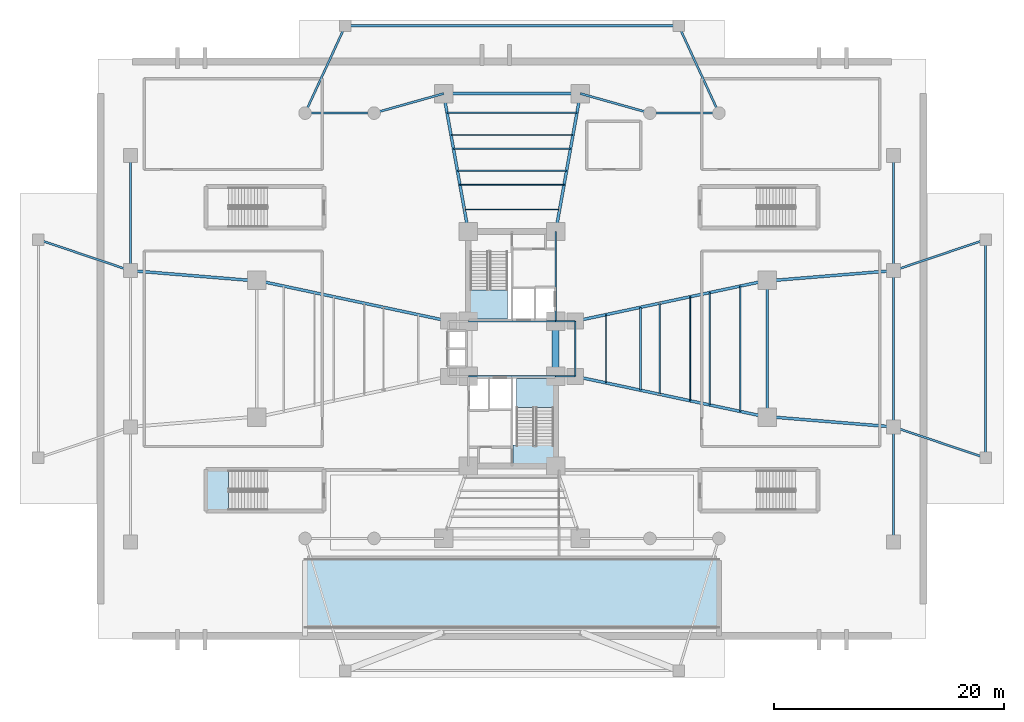
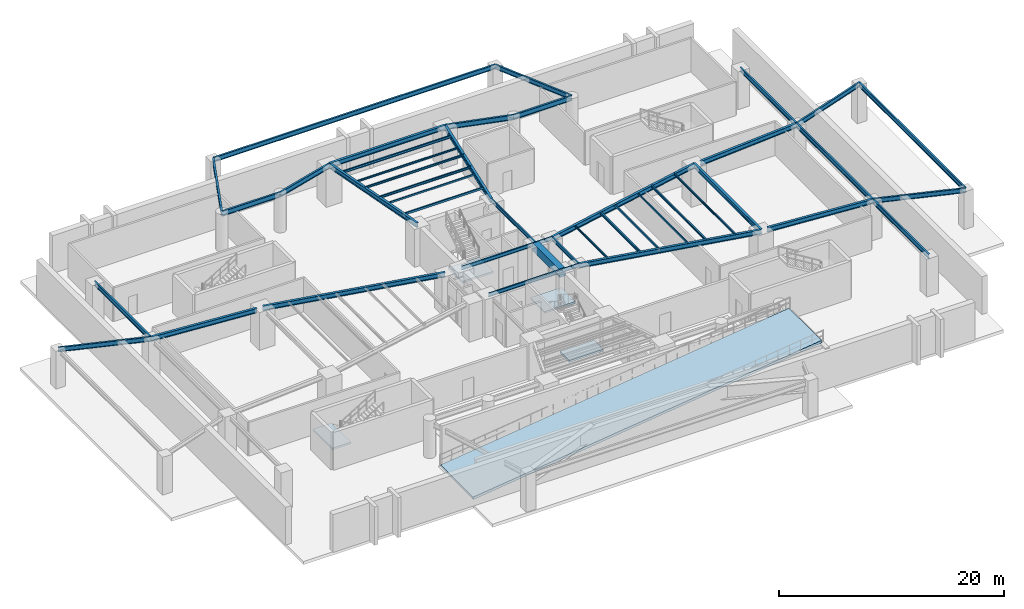
# One storey, part 4 of 14: 44 beams, 5 slabs, 3 elements without a shape of their own.
"""IFC4 building model written with IfcOpenShell, lengths in metres."""

from ifc_helpers import new_model, si_unit, direction, frame, origin, origin_2d, place, context, subcontext, project, spatial, polyline, rectangle, hollow_rectangle, i_section, outline, extrude, source, transform, mapped, material, layer, layer_set, material_profile, profile_set, type_object, element, aggregate, save


model = new_model("IFC4")

# Units and contexts
model_context = context("Model", 3, precision=1e-05, world=origin(), true_north=direction((0.0, 1.0)))
body_context = subcontext(model_context, "Body", "Model", "MODEL_VIEW")
ifc_project = project(units=[si_unit("LENGTHUNIT", "METRE"), si_unit("AREAUNIT", "SQUARE_METRE"), si_unit("VOLUMEUNIT", "CUBIC_METRE"), si_unit("PLANEANGLEUNIT", "RADIAN"), si_unit("MASSUNIT", "GRAM", prefix="KILO")], contexts=[model_context])

# Site, building, storey
site_placement = place(None, origin())
site = spatial("IfcSite", under=ifc_project, at=site_placement, CompositionType="ELEMENT")
building_placement = place(site_placement, origin())
building = spatial("IfcBuilding", under=site, at=building_placement, Name="Sahyath Konkavel Grand Hotel", CompositionType="ELEMENT")
storey_placement = place(building_placement, frame((0.0, 0.0, -4.5)))
storey = spatial("IfcBuildingStorey", under=building, at=storey_placement, Name="B1", CompositionType="ELEMENT", Elevation=-4.5)

# Beams
ifc_material_1 = material(Name="Steel E350", Category="steel")
ifc_material_profile_1 = material_profile(ifc_material_1, i_section(OverallWidth=0.179931640625, OverallDepth=0.5, WebThickness=0.01025390625, FlangeThickness=0.01708984375, FilletRadius=0.01708984375, at=origin_2d()), Name="ISMB 500")
ifc_profile_set_1 = profile_set([ifc_material_profile_1], Name="Steel E350")
beam_type_1 = type_object("IfcBeamType", Name="BM-ISMB500", PredefinedType="BEAM", material=ifc_profile_set_1)
shared_shape_1 = source(origin(), body_context, "Body", "SweptSolid", [
    extrude(i_section(OverallWidth=0.179931640625, OverallDepth=0.5, WebThickness=0.01025390625, FlangeThickness=0.01708984375, FilletRadius=0.01708984375, at=origin_2d()), origin(), (0.0, 0.0, 1.0), 19.0),
])
beam_1_placement = place(storey_placement, frame((41.199951171875, -9.5, 3.85009765625), z_axis=(0.0, 1.0, 0.0), x_axis=(-1.0, 0.0, 0.0)))
element("IfcBeam", 1, at=beam_1_placement, inside=storey, type_object=beam_type_1, Name="B1 Metro Portal Wing Girder 01", PredefinedType="BEAM", context=body_context, shape_type="MappedRepresentation", body=[
    mapped(shared_shape_1, transform((0.0, 0.0, 0.0), scale=1.0)),
])
shared_shape_2 = source(origin(), body_context, "Body", "SweptSolid", [
    extrude(i_section(OverallWidth=0.179931640625, OverallDepth=0.5, WebThickness=0.01025390625, FlangeThickness=0.01708984375, FilletRadius=0.01708984375, at=origin_2d()), origin(), (0.0, 0.0, 1.0), 8.443359375),
])
for number, where, z_axis, x_axis, name in (
    (2, (41.199951171875, -9.5, 3.85009765625), (-0.947494031165, 0.319773452474, 0.0), (-0.319773452474, -0.947494031165, 0.0), "B1 Metro Portal Wing Girder 02"),
    (3, (41.199951171875, 9.5, 3.85009765625), (-0.947494031165, -0.319773452474, 0.0), (0.319773452474, -0.947494031165, 0.0), "B1 Metro Portal Wing Girder 03"),
    (4, (-41.199951171875, 9.5, 3.85009765625), (0.947494031165, -0.319773452474, 0.0), (0.319773452474, 0.947494031165, 0.0), "B1 Metro Portal Wing Girder 06"),
):
    element("IfcBeam", number, at=place(storey_placement, frame(where, z_axis=z_axis, x_axis=x_axis)), inside=storey, type_object=beam_type_1, Name=name, PredefinedType="BEAM", context=body_context, shape_type="MappedRepresentation", body=[
        mapped(shared_shape_2, transform((0.0, 0.0, 0.0), scale=1.0)),
    ])
shared_shape_3 = source(origin(), body_context, "Body", "SweptSolid", [
    extrude(i_section(OverallWidth=0.179931640625, OverallDepth=0.5, WebThickness=0.01025390625, FlangeThickness=0.01708984375, FilletRadius=0.01708984375, at=origin_2d()), origin(), (0.0, 0.0, 1.0), 29.0),
])
beam_2_placement = place(storey_placement, frame((-14.5, 28.10009765625, 3.85009765625), z_axis=(1.0, 0.0, 0.0), x_axis=(0.0, 1.0, 0.0)))
element("IfcBeam", 5, at=beam_2_placement, inside=storey, type_object=beam_type_1, Name="B1 Metro Portal Wing Girder 07", PredefinedType="BEAM", context=body_context, shape_type="MappedRepresentation", body=[
    mapped(shared_shape_3, transform((0.0, 0.0, 0.0), scale=1.0)),
])
shared_shape_4 = source(origin(), body_context, "Body", "SweptSolid", [
    extrude(i_section(OverallWidth=0.179931640625, OverallDepth=0.5, WebThickness=0.01025390625, FlangeThickness=0.01708984375, FilletRadius=0.01708984375, at=origin_2d()), origin(), (0.0, 0.0, 1.0), 8.3671875),
])
for number, where, z_axis, x_axis, name in (
    (6, (-14.5, 28.10009765625, 3.85009765625), (-0.418295701327, -0.908310908363, 0.0), (0.908310908363, -0.418295701327, 0.0), "B1 Metro Portal Wing Girder 08"),
    (7, (14.5, 28.10009765625, 3.85009765625), (0.418295701327, -0.908310908363, 0.0), (0.908310908363, 0.418295701327, 0.0), "B1 Metro Portal Wing Girder 09"),
):
    element("IfcBeam", number, at=place(storey_placement, frame(where, z_axis=z_axis, x_axis=x_axis)), inside=storey, type_object=beam_type_1, Name=name, PredefinedType="BEAM", context=body_context, shape_type="MappedRepresentation", body=[
        mapped(shared_shape_4, transform((0.0, 0.0, 0.0), scale=1.0)),
    ])
ifc_material_2 = material(Name="Concrete C70/85", Category="concrete")
ifc_material_profile_2 = material_profile(ifc_material_2, rectangle(XDim=0.60009765625, YDim=0.89990234375, at=origin_2d()), Name="RC 600x900")
ifc_profile_set_2 = profile_set([ifc_material_profile_2], Name="Concrete C70/85")
beam_type_2 = type_object("IfcBeamType", Name="BM-CB600x900", PredefinedType="LINTEL", material=ifc_profile_set_2)
shared_shape_5 = source(origin(), body_context, "Body", "SweptSolid", [
    extrude(rectangle(XDim=0.60009765625, YDim=0.89990234375, at=origin_2d()), origin(), (0.0, 0.0, 1.0), 4.7998046875),
])
beam_3_placement = place(storey_placement, frame((3.800048828125, -2.39990234375, 3.64990234375), z_axis=(0.0, 1.0, 0.0), x_axis=(-1.0, 0.0, 0.0)))
element("IfcBeam", 8, at=beam_3_placement, inside=storey, type_object=beam_type_2, Name="B1 Split-Core Coupling Beam East", PredefinedType="LINTEL", context=body_context, shape_type="MappedRepresentation", body=[
    mapped(shared_shape_5, transform((0.0, 0.0, 0.0), scale=1.0)),
])
ifc_material_profile_3 = material_profile(ifc_material_1, i_section(OverallWidth=0.139892578125, OverallDepth=0.39990234375, WebThickness=0.0087890625, FlangeThickness=0.01611328125, FilletRadius=0.013916015625, at=origin_2d()), Name="ISMB 400")
ifc_profile_set_3 = profile_set([ifc_material_profile_3], Name="Steel E350")
beam_type_3 = type_object("IfcBeamType", Name="BM-ISMB400", PredefinedType="BEAM", material=ifc_profile_set_3)
shared_shape_6 = source(origin(), body_context, "Body", "SweptSolid", [
    extrude(i_section(OverallWidth=0.139892578125, OverallDepth=0.39990234375, WebThickness=0.0087890625, FlangeThickness=0.01611328125, FilletRadius=0.013916015625, at=origin_2d()), origin(), (0.0, 0.0, 1.0), 7.60009765625),
])
for number, where, z_axis, x_axis, name in (
    (9, (-3.800048828125, 2.39990234375, 3.89990234375), (1.0, 0.0, 0.0), (0.0, 1.0, 0.0), "str:bm:B1:NC-S"),
    (10, (-3.800048828125, -2.39990234375, 3.89990234375), (1.0, 0.0, 0.0), (0.0, 1.0, 0.0), "str:bm:B1:SC-N"),
):
    element("IfcBeam", number, at=place(storey_placement, frame(where, z_axis=z_axis, x_axis=x_axis)), inside=storey, type_object=beam_type_3, Name=name, PredefinedType="BEAM", context=body_context, shape_type="MappedRepresentation", body=[
        mapped(shared_shape_6, transform((0.0, 0.0, 0.0), scale=1.0)),
    ])
shared_shape_7 = source(origin(), body_context, "Body", "SweptSolid", [
    extrude(i_section(OverallWidth=0.139892578125, OverallDepth=0.39990234375, WebThickness=0.0087890625, FlangeThickness=0.01611328125, FilletRadius=0.013916015625, at=origin_2d()), origin(), (0.0, 0.0, 1.0), 7.800048828125),
])
beam_4_placement = place(storey_placement, frame((3.800048828125, 2.39990234375, 3.89990234375), z_axis=(0.0, 1.0, 0.0), x_axis=(-1.0, 0.0, 0.0)))
element("IfcBeam", 11, at=beam_4_placement, inside=storey, type_object=beam_type_3, Name="str:bm:B1:NC-E", PredefinedType="BEAM", context=body_context, shape_type="MappedRepresentation", body=[
    mapped(shared_shape_7, transform((0.0, 0.0, 0.0), scale=1.0)),
])
shared_shape_8 = source(origin(), body_context, "Body", "SweptSolid", [
    extrude(i_section(OverallWidth=0.139892578125, OverallDepth=0.39990234375, WebThickness=0.0087890625, FlangeThickness=0.01611328125, FilletRadius=0.013916015625, at=origin_2d()), origin(), (0.0, 0.0, 1.0), 1.699951171875),
])
for number, where, z_axis, x_axis, name in (
    (12, (3.800048828125, 2.39990234375, 3.89990234375), (1.0, 0.0, 0.0), (0.0, 1.0, 0.0), "str:bm:B1:HB-NE"),
    (13, (3.800048828125, -2.39990234375, 3.89990234375), (1.0, 0.0, 0.0), (0.0, 1.0, 0.0), "str:bm:B1:HB-SE"),
):
    element("IfcBeam", number, at=place(storey_placement, frame(where, z_axis=z_axis, x_axis=x_axis)), inside=storey, type_object=beam_type_3, Name=name, PredefinedType="BEAM", context=body_context, shape_type="MappedRepresentation", body=[
        mapped(shared_shape_8, transform((0.0, 0.0, 0.0), scale=1.0)),
    ])
shared_shape_9 = source(origin(), body_context, "Body", "SweptSolid", [
    extrude(i_section(OverallWidth=0.139892578125, OverallDepth=0.39990234375, WebThickness=0.0087890625, FlangeThickness=0.01611328125, FilletRadius=0.013916015625, at=origin_2d()), origin(), (0.0, 0.0, 1.0), 4.7998046875),
])
beam_5_placement = place(storey_placement, frame((5.5, -2.39990234375, 3.89990234375), z_axis=(0.0, 1.0, 0.0), x_axis=(-1.0, 0.0, 0.0)))
element("IfcBeam", 14, at=beam_5_placement, inside=storey, type_object=beam_type_3, Name="str:bm:B1:HB-E", PredefinedType="BEAM", context=body_context, shape_type="MappedRepresentation", body=[
    mapped(shared_shape_9, transform((0.0, 0.0, 0.0), scale=1.0)),
])
ifc_material_profile_4 = material_profile(ifc_material_1, i_section(OverallWidth=0.25, OverallDepth=0.5, WebThickness=0.010009765625, FlangeThickness=0.0146484375, FilletRadius=0.014892578125, at=origin_2d()), Name="ISWB 500")
ifc_profile_set_4 = profile_set([ifc_material_profile_4], Name="Steel E350")
beam_type_4 = type_object("IfcBeamType", Name="BM-ISWB500", PredefinedType="BEAM", material=ifc_profile_set_4)
shared_shape_10 = source(origin(), body_context, "Body", "SweptSolid", [
    extrude(i_section(OverallWidth=0.25, OverallDepth=0.5, WebThickness=0.010009765625, FlangeThickness=0.0146484375, FilletRadius=0.014892578125, at=origin_2d()), origin(), (0.0, 0.0, 1.0), 17.072998046875),
])
for number, where, z_axis, x_axis, name in (
    (15, (5.5, -2.39990234375, 3.85009765625), (0.978143257225, -0.20793212437, 0.0), (0.20793212437, 0.978143257225, 0.0), "B1 Podium Primary Girder EA"),
    (16, (5.5, 2.39990234375, 3.85009765625), (0.978143257225, 0.20793212437, 0.0), (-0.20793212437, 0.978143257225, 0.0), "B1 Podium Primary Girder EB"),
    (17, (-5.5, 2.39990234375, 3.85009765625), (-0.978143257225, 0.20793212437, 0.0), (-0.20793212437, -0.978143257225, 0.0), "B1 Podium Primary Girder WA"),
):
    element("IfcBeam", number, at=place(storey_placement, frame(where, z_axis=z_axis, x_axis=x_axis)), inside=storey, type_object=beam_type_4, Name=name, PredefinedType="BEAM", context=body_context, shape_type="MappedRepresentation", body=[
        mapped(shared_shape_10, transform((0.0, 0.0, 0.0), scale=1.0)),
    ])
shared_shape_11 = source(origin(), body_context, "Body", "SweptSolid", [
    extrude(i_section(OverallWidth=0.25, OverallDepth=0.5, WebThickness=0.010009765625, FlangeThickness=0.0146484375, FilletRadius=0.014892578125, at=origin_2d()), origin(), (0.0, 0.0, 1.0), 12.191162109375),
])
for number, where, z_axis, x_axis, name in (
    (18, (3.800048828125, 10.199951171875, 3.85009765625), (0.176350650305, 0.984327409014, 0.0), (-0.984327409014, 0.176350650305, 0.0), "B1 Podium Primary Girder NA"),
    (19, (-3.800048828125, 10.199951171875, 3.85009765625), (-0.176350650305, 0.984327409014, 0.0), (-0.984327409014, -0.176350650305, 0.0), "B1 Podium Primary Girder NB"),
):
    element("IfcBeam", number, at=place(storey_placement, frame(where, z_axis=z_axis, x_axis=x_axis)), inside=storey, type_object=beam_type_4, Name=name, PredefinedType="BEAM", context=body_context, shape_type="MappedRepresentation", body=[
        mapped(shared_shape_11, transform((0.0, 0.0, 0.0), scale=1.0)),
    ])
shared_shape_12 = source(origin(), body_context, "Body", "SweptSolid", [
    extrude(i_section(OverallWidth=0.25, OverallDepth=0.5, WebThickness=0.010009765625, FlangeThickness=0.0146484375, FilletRadius=0.014892578125, at=origin_2d()), origin(), (0.0, 0.0, 1.0), 11.89990234375),
])
for number, where, z_axis, x_axis, name in (
    (20, (22.199951171875, -5.949951171875, 3.85009765625), (0.0, 1.0, 0.0), (-1.0, 0.0, 0.0), "B1 Podium Primary Girder Tie E"),
    (21, (5.949951171875, 22.199951171875, 3.85009765625), (-1.0, 0.0, 0.0), (0.0, -1.0, 0.0), "B1 Podium Primary Girder Tie N"),
):
    element("IfcBeam", number, at=place(storey_placement, frame(where, z_axis=z_axis, x_axis=x_axis)), inside=storey, type_object=beam_type_4, Name=name, PredefinedType="BEAM", context=body_context, shape_type="MappedRepresentation", body=[
        mapped(shared_shape_12, transform((0.0, 0.0, 0.0), scale=1.0)),
    ])
ifc_material_profile_5 = material_profile(ifc_material_1, i_section(OverallWidth=0.18994140625, OverallDepth=0.550048828125, WebThickness=0.01123046875, FlangeThickness=0.019287109375, FilletRadius=0.01806640625, at=origin_2d()), Name="ISMB 550")
ifc_profile_set_5 = profile_set([ifc_material_profile_5], Name="Steel E350")
beam_type_5 = type_object("IfcBeamType", Name="BM-ISMB550", PredefinedType="BEAM", material=ifc_profile_set_5)
shared_shape_13 = source(origin(), body_context, "Body", "SweptSolid", [
    extrude(i_section(OverallWidth=0.18994140625, OverallDepth=0.550048828125, WebThickness=0.01123046875, FlangeThickness=0.019287109375, FilletRadius=0.01806640625, at=origin_2d()), origin(), (0.0, 0.0, 1.0), 6.0),
])
for number, where, z_axis, x_axis, name in (
    (22, (-18.0, 20.5, 3.824951171875), (1.0, 0.0, 0.0), (0.0, 1.0, 0.0), "str:bm:B1:POD-01"),
    (23, (12.0, 20.5, 3.824951171875), (1.0, 0.0, 0.0), (0.0, 1.0, 0.0), "str:bm:B1:POD-04"),
):
    element("IfcBeam", number, at=place(storey_placement, frame(where, z_axis=z_axis, x_axis=x_axis)), inside=storey, type_object=beam_type_5, Name=name, PredefinedType="BEAM", context=body_context, shape_type="MappedRepresentation", body=[
        mapped(shared_shape_13, transform((0.0, 0.0, 0.0), scale=1.0)),
    ])
shared_shape_14 = source(origin(), body_context, "Body", "SweptSolid", [
    extrude(i_section(OverallWidth=0.18994140625, OverallDepth=0.550048828125, WebThickness=0.01123046875, FlangeThickness=0.019287109375, FilletRadius=0.01806640625, at=origin_2d()), origin(), (0.0, 0.0, 1.0), 6.284423828125),
])
for number, where, z_axis, x_axis, name in (
    (24, (-12.0, 20.5, 3.824951171875), (0.962718307277, 0.270505934933, 0.0), (-0.270505934933, 0.962718307277, 0.0), "str:bm:B1:POD-02"),
    (25, (5.949951171875, 22.199951171875, 3.824951171875), (0.962718307277, -0.270505934933, 0.0), (0.270505934933, 0.962718307277, 0.0), "str:bm:B1:POD-03"),
):
    element("IfcBeam", number, at=place(storey_placement, frame(where, z_axis=z_axis, x_axis=x_axis)), inside=storey, type_object=beam_type_5, Name=name, PredefinedType="BEAM", context=body_context, shape_type="MappedRepresentation", body=[
        mapped(shared_shape_14, transform((0.0, 0.0, 0.0), scale=1.0)),
    ])
shared_shape_15 = source(origin(), body_context, "Body", "SweptSolid", [
    extrude(i_section(OverallWidth=0.179931640625, OverallDepth=0.5, WebThickness=0.01025390625, FlangeThickness=0.01708984375, FilletRadius=0.01708984375, at=origin_2d()), origin(), (0.0, 0.0, 1.0), 10.0),
])
for number, where, z_axis, x_axis, name in (
    (26, (33.199951171875, -16.800048828125, 3.85009765625), (0.0, 1.0, 0.0), (-1.0, 0.0, 0.0), "str:bm:B1:POD-09"),
    (27, (33.199951171875, 6.800048828125, 3.85009765625), (0.0, 1.0, 0.0), (-1.0, 0.0, 0.0), "str:bm:B1:POD-13"),
    (28, (-33.199951171875, 6.800048828125, 3.85009765625), (0.0, 1.0, 0.0), (-1.0, 0.0, 0.0), "str:bm:B1:POD-18"),
):
    element("IfcBeam", number, at=place(storey_placement, frame(where, z_axis=z_axis, x_axis=x_axis)), inside=storey, type_object=beam_type_1, Name=name, PredefinedType="BEAM", context=body_context, shape_type="MappedRepresentation", body=[
        mapped(shared_shape_15, transform((0.0, 0.0, 0.0), scale=1.0)),
    ])
shared_shape_16 = source(origin(), body_context, "Body", "SweptSolid", [
    extrude(i_section(OverallWidth=0.25, OverallDepth=0.5, WebThickness=0.010009765625, FlangeThickness=0.0146484375, FilletRadius=0.014892578125, at=origin_2d()), origin(), (0.0, 0.0, 1.0), 10.4345703125),
])
for number, where, z_axis, x_axis, name in (
    (29, (33.199951171875, -6.800048828125, 3.85009765625), (-0.996675859081, 0.081469208445, 0.0), (-0.081469208445, -0.996675859081, 0.0), "str:bm:B1:POD-10"),
    (30, (33.199951171875, 6.800048828125, 3.85009765625), (-0.996675859081, -0.081469208445, 0.0), (0.081469208445, -0.996675859081, 0.0), "str:bm:B1:POD-12"),
    (31, (-33.199951171875, 6.800048828125, 3.85009765625), (0.996675859081, -0.081469208445, 0.0), (0.081469208445, 0.996675859081, 0.0), "str:bm:B1:POD-17"),
):
    element("IfcBeam", number, at=place(storey_placement, frame(where, z_axis=z_axis, x_axis=x_axis)), inside=storey, type_object=beam_type_4, Name=name, PredefinedType="BEAM", context=body_context, shape_type="MappedRepresentation", body=[
        mapped(shared_shape_16, transform((0.0, 0.0, 0.0), scale=1.0)),
    ])
shared_shape_17 = source(origin(), body_context, "Body", "SweptSolid", [
    extrude(i_section(OverallWidth=0.179931640625, OverallDepth=0.5, WebThickness=0.01025390625, FlangeThickness=0.01708984375, FilletRadius=0.01708984375, at=origin_2d()), origin(), (0.0, 0.0, 1.0), 13.60009765625),
])
beam_6_placement = place(storey_placement, frame((33.199951171875, -6.800048828125, 3.85009765625), z_axis=(0.0, 1.0, 0.0), x_axis=(-1.0, 0.0, 0.0)))
element("IfcBeam", 32, at=beam_6_placement, inside=storey, type_object=beam_type_1, Name="str:bm:B1:POD-11", PredefinedType="BEAM", context=body_context, shape_type="MappedRepresentation", body=[
    mapped(shared_shape_17, transform((0.0, 0.0, 0.0), scale=1.0)),
])
ifc_material_profile_6 = material_profile(ifc_material_1, i_section(OverallWidth=0.10009765625, OverallDepth=0.199951171875, WebThickness=0.005615234375, FlangeThickness=0.0107421875, FilletRadius=0.010986328125, at=origin_2d()), Name="ISMB 200")
ifc_profile_set_6 = profile_set([ifc_material_profile_6], Name="Steel E350")
beam_type_6 = type_object("IfcBeamType", Name="BM-ISMB200", PredefinedType="BEAM", material=ifc_profile_set_6)
shared_shape_18 = source(origin(), body_context, "Body", "SweptSolid", [
    extrude(i_section(OverallWidth=0.10009765625, OverallDepth=0.199951171875, WebThickness=0.005615234375, FlangeThickness=0.0107421875, FilletRadius=0.010986328125, at=origin_2d()), origin(), (0.0, 0.0, 1.0), 5.93603515625),
])
beam_7_placement = place(storey_placement, frame((8.172119140625, -2.968017578125, 4.0), z_axis=(0.0, 1.0, 0.0), x_axis=(-1.0, 0.0, 0.0)))
element("IfcBeam", 33, at=beam_7_placement, inside=storey, type_object=beam_type_6, Name="B1 Composite Deck Sub-Beam E-1", PredefinedType="BEAM", context=body_context, shape_type="MappedRepresentation", body=[
    mapped(shared_shape_18, transform((0.0, 0.0, 0.0), scale=1.0)),
])
ifc_material_profile_7 = material_profile(ifc_material_1, i_section(OverallWidth=0.139892578125, OverallDepth=0.27490234375, WebThickness=0.00634765625, FlangeThickness=0.0087890625, FilletRadius=0.012939453125, at=origin_2d()), Name="ISLB 275")
ifc_profile_set_7 = profile_set([ifc_material_profile_7], Name="Steel E350")
beam_type_7 = type_object("IfcBeamType", Name="BM-ISLB275", PredefinedType="BEAM", material=ifc_profile_set_7)
shared_shape_19 = source(origin(), body_context, "Body", "SweptSolid", [
    extrude(i_section(OverallWidth=0.139892578125, OverallDepth=0.27490234375, WebThickness=0.00634765625, FlangeThickness=0.0087890625, FilletRadius=0.012939453125, at=origin_2d()), origin(), (0.0, 0.0, 1.0), 7.2138671875),
])
beam_8_placement = place(storey_placement, frame((11.177978515625, -3.60693359375, 3.96240234375), z_axis=(0.0, 1.0, 0.0), x_axis=(-1.0, 0.0, 0.0)))
element("IfcBeam", 34, at=beam_8_placement, inside=storey, type_object=beam_type_7, Name="B1 Composite Deck Sub-Beam E-2", PredefinedType="BEAM", context=body_context, shape_type="MappedRepresentation", body=[
    mapped(shared_shape_19, transform((0.0, 0.0, 0.0), scale=1.0)),
])
ifc_material_profile_8 = material_profile(ifc_material_1, hollow_rectangle(XDim=0.1201171875, YDim=0.219970703125, WallThickness=0.010009765625, at=origin_2d()), Name="RHS 220x120x10")
ifc_profile_set_8 = profile_set([ifc_material_profile_8], Name="Steel E350")
beam_type_8 = type_object("IfcBeamType", Name="BM-RHS220", PredefinedType="BEAM", material=ifc_profile_set_8)
shared_shape_20 = source(origin(), body_context, "Body", "SweptSolid", [
    extrude(hollow_rectangle(XDim=0.1201171875, YDim=0.219970703125, WallThickness=0.010009765625, at=origin_2d()), origin(), (0.0, 0.0, 1.0), 7.923828125),
])
beam_9_placement = place(storey_placement, frame((12.847900390625, -3.9619140625, 3.989990234375), z_axis=(0.0, 1.0, 0.0), x_axis=(-1.0, 0.0, 0.0)))
element("IfcBeam", 35, at=beam_9_placement, inside=storey, type_object=beam_type_8, Name="B1 Composite Deck Sub-Beam E-3", PredefinedType="BEAM", context=body_context, shape_type="MappedRepresentation", body=[
    mapped(shared_shape_20, transform((0.0, 0.0, 0.0), scale=1.0)),
])
ifc_material_profile_9 = material_profile(ifc_material_1, hollow_rectangle(XDim=0.090087890625, YDim=0.179931640625, WallThickness=0.008056640625, at=origin_2d()), Name="RHS 180x90x8")
ifc_profile_set_9 = profile_set([ifc_material_profile_9], Name="Steel E350")
beam_type_9 = type_object("IfcBeamType", Name="BM-RHS180", PredefinedType="BEAM", material=ifc_profile_set_9)
shared_shape_21 = source(origin(), body_context, "Body", "SweptSolid", [
    extrude(hollow_rectangle(XDim=0.090087890625, YDim=0.179931640625, WallThickness=0.008056640625, at=origin_2d()), origin(), (0.0, 0.0, 1.0), 9.06005859375),
])
beam_10_placement = place(storey_placement, frame((15.52001953125, -4.530029296875, 4.010009765625), z_axis=(0.0, 1.0, 0.0), x_axis=(-1.0, 0.0, 0.0)))
element("IfcBeam", 36, at=beam_10_placement, inside=storey, type_object=beam_type_9, Name="B1 Composite Deck Sub-Beam E-4", PredefinedType="BEAM", context=body_context, shape_type="MappedRepresentation", body=[
    mapped(shared_shape_21, transform((0.0, 0.0, 0.0), scale=1.0)),
])
ifc_material_profile_10 = material_profile(ifc_material_1, i_section(OverallWidth=0.125, OverallDepth=0.25, WebThickness=0.0068359375, FlangeThickness=0.012451171875, FilletRadius=0.012939453125, at=origin_2d()), Name="ISMB 250")
ifc_profile_set_10 = profile_set([ifc_material_profile_10], Name="Steel E350")
beam_type_10 = type_object("IfcBeamType", Name="BM-ISMB250", PredefinedType="BEAM", material=ifc_profile_set_10)
shared_shape_22 = source(origin(), body_context, "Body", "SweptSolid", [
    extrude(i_section(OverallWidth=0.125, OverallDepth=0.25, WebThickness=0.0068359375, FlangeThickness=0.012451171875, FilletRadius=0.012939453125, at=origin_2d()), origin(), (0.0, 0.0, 1.0), 9.77001953125),
])
beam_11_placement = place(storey_placement, frame((17.18994140625, -4.885009765625, 3.97509765625), z_axis=(0.0, 1.0, 0.0), x_axis=(-1.0, 0.0, 0.0)))
element("IfcBeam", 37, at=beam_11_placement, inside=storey, type_object=beam_type_10, Name="B1 Composite Deck Sub-Beam E-5", PredefinedType="BEAM", context=body_context, shape_type="MappedRepresentation", body=[
    mapped(shared_shape_22, transform((0.0, 0.0, 0.0), scale=1.0)),
])
ifc_material_profile_11 = material_profile(ifc_material_1, i_section(OverallWidth=0.110107421875, OverallDepth=0.22509765625, WebThickness=0.006591796875, FlangeThickness=0.01171875, FilletRadius=0.011962890625, at=origin_2d()), Name="ISMB 225")
ifc_profile_set_11 = profile_set([ifc_material_profile_11], Name="Steel E350")
beam_type_11 = type_object("IfcBeamType", Name="BM-ISMB225", PredefinedType="BEAM", material=ifc_profile_set_11)
shared_shape_23 = source(origin(), body_context, "Body", "SweptSolid", [
    extrude(i_section(OverallWidth=0.110107421875, OverallDepth=0.22509765625, WebThickness=0.006591796875, FlangeThickness=0.01171875, FilletRadius=0.011962890625, at=origin_2d()), origin(), (0.0, 0.0, 1.0), 10.90576171875),
])
beam_12_placement = place(storey_placement, frame((19.862060546875, -5.452880859375, 3.987548828125), z_axis=(0.0, 1.0, 0.0), x_axis=(-1.0, 0.0, 0.0)))
element("IfcBeam", 38, at=beam_12_placement, inside=storey, type_object=beam_type_11, Name="B1 Composite Deck Sub-Beam E-6", PredefinedType="BEAM", context=body_context, shape_type="MappedRepresentation", body=[
    mapped(shared_shape_23, transform((0.0, 0.0, 0.0), scale=1.0)),
])
shared_shape_24 = source(origin(), body_context, "Body", "SweptSolid", [
    extrude(hollow_rectangle(XDim=0.1201171875, YDim=0.219970703125, WallThickness=0.010009765625, at=origin_2d()), origin(), (0.0, 0.0, 1.0), 8.2880859375),
])
beam_13_placement = place(storey_placement, frame((4.14404296875, 12.1201171875, 3.989990234375), z_axis=(-1.0, 0.0, 0.0), x_axis=(0.0, -1.0, 0.0)))
element("IfcBeam", 39, at=beam_13_placement, inside=storey, type_object=beam_type_8, Name="B1 Composite Deck Sub-Beam N-1", PredefinedType="BEAM", context=body_context, shape_type="MappedRepresentation", body=[
    mapped(shared_shape_24, transform((0.0, 0.0, 0.0), scale=1.0)),
])
shared_shape_25 = source(origin(), body_context, "Body", "SweptSolid", [
    extrude(hollow_rectangle(XDim=0.090087890625, YDim=0.179931640625, WallThickness=0.008056640625, at=origin_2d()), origin(), (0.0, 0.0, 1.0), 9.06201171875),
])
beam_14_placement = place(storey_placement, frame((4.531005859375, 14.280029296875, 4.010009765625), z_axis=(-1.0, 0.0, 0.0), x_axis=(0.0, -1.0, 0.0)))
element("IfcBeam", 40, at=beam_14_placement, inside=storey, type_object=beam_type_9, Name="B1 Composite Deck Sub-Beam N-2", PredefinedType="BEAM", context=body_context, shape_type="MappedRepresentation", body=[
    mapped(shared_shape_25, transform((0.0, 0.0, 0.0), scale=1.0)),
])
shared_shape_26 = source(origin(), body_context, "Body", "SweptSolid", [
    extrude(i_section(OverallWidth=0.125, OverallDepth=0.25, WebThickness=0.0068359375, FlangeThickness=0.012451171875, FilletRadius=0.012939453125, at=origin_2d()), origin(), (0.0, 0.0, 1.0), 9.4921875),
])
beam_15_placement = place(storey_placement, frame((4.74609375, 15.47998046875, 3.97509765625), z_axis=(-1.0, 0.0, 0.0), x_axis=(0.0, -1.0, 0.0)))
element("IfcBeam", 41, at=beam_15_placement, inside=storey, type_object=beam_type_10, Name="B1 Composite Deck Sub-Beam N-3", PredefinedType="BEAM", context=body_context, shape_type="MappedRepresentation", body=[
    mapped(shared_shape_26, transform((0.0, 0.0, 0.0), scale=1.0)),
])
shared_shape_27 = source(origin(), body_context, "Body", "SweptSolid", [
    extrude(i_section(OverallWidth=0.110107421875, OverallDepth=0.22509765625, WebThickness=0.006591796875, FlangeThickness=0.01171875, FilletRadius=0.011962890625, at=origin_2d()), origin(), (0.0, 0.0, 1.0), 10.18017578125),
])
beam_16_placement = place(storey_placement, frame((5.090087890625, 17.39990234375, 3.987548828125), z_axis=(-1.0, 0.0, 0.0), x_axis=(0.0, -1.0, 0.0)))
element("IfcBeam", 42, at=beam_16_placement, inside=storey, type_object=beam_type_11, Name="B1 Composite Deck Sub-Beam N-4", PredefinedType="BEAM", context=body_context, shape_type="MappedRepresentation", body=[
    mapped(shared_shape_27, transform((0.0, 0.0, 0.0), scale=1.0)),
])
shared_shape_28 = source(origin(), body_context, "Body", "SweptSolid", [
    extrude(i_section(OverallWidth=0.10009765625, OverallDepth=0.199951171875, WebThickness=0.005615234375, FlangeThickness=0.0107421875, FilletRadius=0.010986328125, at=origin_2d()), origin(), (0.0, 0.0, 1.0), 10.60986328125),
])
beam_17_placement = place(storey_placement, frame((5.304931640625, 18.60009765625, 4.0), z_axis=(-1.0, 0.0, 0.0), x_axis=(0.0, -1.0, 0.0)))
element("IfcBeam", 43, at=beam_17_placement, inside=storey, type_object=beam_type_6, Name="B1 Composite Deck Sub-Beam N-5", PredefinedType="BEAM", context=body_context, shape_type="MappedRepresentation", body=[
    mapped(shared_shape_28, transform((0.0, 0.0, 0.0), scale=1.0)),
])
shared_shape_29 = source(origin(), body_context, "Body", "SweptSolid", [
    extrude(i_section(OverallWidth=0.139892578125, OverallDepth=0.27490234375, WebThickness=0.00634765625, FlangeThickness=0.0087890625, FilletRadius=0.012939453125, at=origin_2d()), origin(), (0.0, 0.0, 1.0), 11.2978515625),
])
beam_18_placement = place(storey_placement, frame((5.64892578125, 20.52001953125, 3.96240234375), z_axis=(-1.0, 0.0, 0.0), x_axis=(0.0, -1.0, 0.0)))
element("IfcBeam", 44, at=beam_18_placement, inside=storey, type_object=beam_type_7, Name="B1 Composite Deck Sub-Beam N-6", PredefinedType="BEAM", context=body_context, shape_type="MappedRepresentation", body=[
    mapped(shared_shape_29, transform((0.0, 0.0, 0.0), scale=1.0)),
])

# Stair, slab
ifc_material_3 = material(Name="Concrete C40/50", Category="concrete")
stair_type = type_object("IfcStairType", Name="STR-ST16-450", PredefinedType="HALF_TURN_STAIR", material=ifc_material_3)
stair_1_placement = place(storey_placement, origin())
stair_1 = element("IfcStair", 45, at=stair_1_placement, inside=storey, type_object=stair_type, Name="B1 North Core Smokeproof Exit Stair ST-1", PredefinedType="HALF_TURN_STAIR")
ifc_layer_1 = layer(ifc_material_3, 0.199951171875)
ifc_layer_set_1 = layer_set([ifc_layer_1], Name="Concrete C40/50")
slab_type_1 = type_object("IfcSlabType", Name="SLB-STAIR-LND", PredefinedType="LANDING", material=ifc_layer_set_1)
slab_1_placement = place(storey_placement, frame((0.0, 0.0, 2.050048828125)))
slab_1 = element("IfcSlab", 46, at=slab_1_placement, type_object=slab_type_1, Name="ST-1 landing 1", PredefinedType="LANDING", context=body_context, shape_type="SweptSolid", body=[
    extrude(outline(polyline([(-3.60009765625, 5.1201171875), (-3.60009765625, 2.60009765625), (-0.39990234375, 2.60009765625), (-0.39990234375, 5.1201171875), (-3.60009765625, 5.1201171875)])), origin(), (0.0, 0.0, 1.0), 0.199951171875),
])
aggregate(stair_1, [slab_1])

stair_2_placement = place(storey_placement, origin())
stair_2 = element("IfcStair", 47, at=stair_2_placement, inside=storey, type_object=stair_type, Name="B1 South Core Smokeproof Exit Stair ST-2", PredefinedType="HALF_TURN_STAIR")
slab_2_placement = place(storey_placement, frame((0.0, 0.0, 2.050048828125)))
slab_2 = element("IfcSlab", 48, at=slab_2_placement, type_object=slab_type_1, Name="ST-2 landing 1", PredefinedType="LANDING", context=body_context, shape_type="SweptSolid", body=[
    extrude(outline(polyline([(3.60009765625, -5.1201171875), (3.60009765625, -2.60009765625), (0.39990234375, -2.60009765625), (0.39990234375, -5.1201171875), (3.60009765625, -5.1201171875)])), origin(), (0.0, 0.0, 1.0), 0.199951171875),
])
aggregate(stair_2, [slab_2])

# Slab
slab_3_placement = place(storey_placement, frame((0.0, 0.0, -0.199951171875)))
element("IfcSlab", 49, at=slab_3_placement, inside=storey, type_object=slab_type_1, Name="B1 Stair ST-2 Floor Landing Slab", PredefinedType="LANDING", context=body_context, shape_type="SweptSolid", body=[
    extrude(outline(polyline([(0.10009765625, -10.02001953125), (3.6201171875, -10.02001953125), (3.6201171875, -8.35009765625), (0.10009765625, -8.35009765625), (0.10009765625, -10.02001953125)])), origin(), (0.0, 0.0, 1.0), 0.199951171875),
])

# Stair, slab
stair_3_placement = place(storey_placement, origin())
stair_3 = element("IfcStair", 50, at=stair_3_placement, inside=storey, type_object=stair_type, Name="B1 Podium Protected Exit Stair ST-P3", PredefinedType="HALF_TURN_STAIR")
slab_4_placement = place(storey_placement, frame((0.0, 0.0, 2.050048828125)))
slab_4 = element("IfcSlab", 51, at=slab_4_placement, type_object=slab_type_1, Name="ST-P3 landing 1", PredefinedType="LANDING", context=body_context, shape_type="SweptSolid", body=[
    extrude(outline(polyline([(-24.64990234375, -10.580078125), (-26.580078125, -10.580078125), (-26.580078125, -14.0400390625), (-24.64990234375, -14.0400390625), (-24.64990234375, -10.580078125)])), origin(), (0.0, 0.0, 1.0), 0.199951171875),
])
aggregate(stair_3, [slab_4])

# Slab
ifc_material_4 = material(Name="Concrete C50/60", Category="concrete")
ifc_layer_2 = layer(ifc_material_4, 0.280029296875)
ifc_layer_set_2 = layer_set([ifc_layer_2], Name="Concrete C50/60")
slab_type_2 = type_object("IfcSlabType", Name="SLB-VRAMP-280", PredefinedType="BASESLAB", material=ifc_layer_set_2)
slab_5_placement = place(storey_placement, frame((-17.919921875, -24.10009765625, 0.0), z_axis=(-0.124580420666, 0.0, 0.992209513554), x_axis=(0.992209513554, 0.0, 0.124580420666)))
element("IfcSlab", 52, at=slab_5_placement, inside=storey, type_object=slab_type_2, Name="Basement B1 to Ground L00 Structural Vehicle Ramp Slab VRS-2", PredefinedType="BASESLAB", context=body_context, shape_type="SweptSolid", body=[
    extrude(outline(polyline([(0.0, 0.0), (36.121245826028954, 0.0), (36.121245826028954, 5.800048828125), (0.0, 5.800048828125), (0.0, 0.0)])), origin(), (0.0, 0.0, -1.0), 0.280029296875),
])

save(model, "model.ifc")
